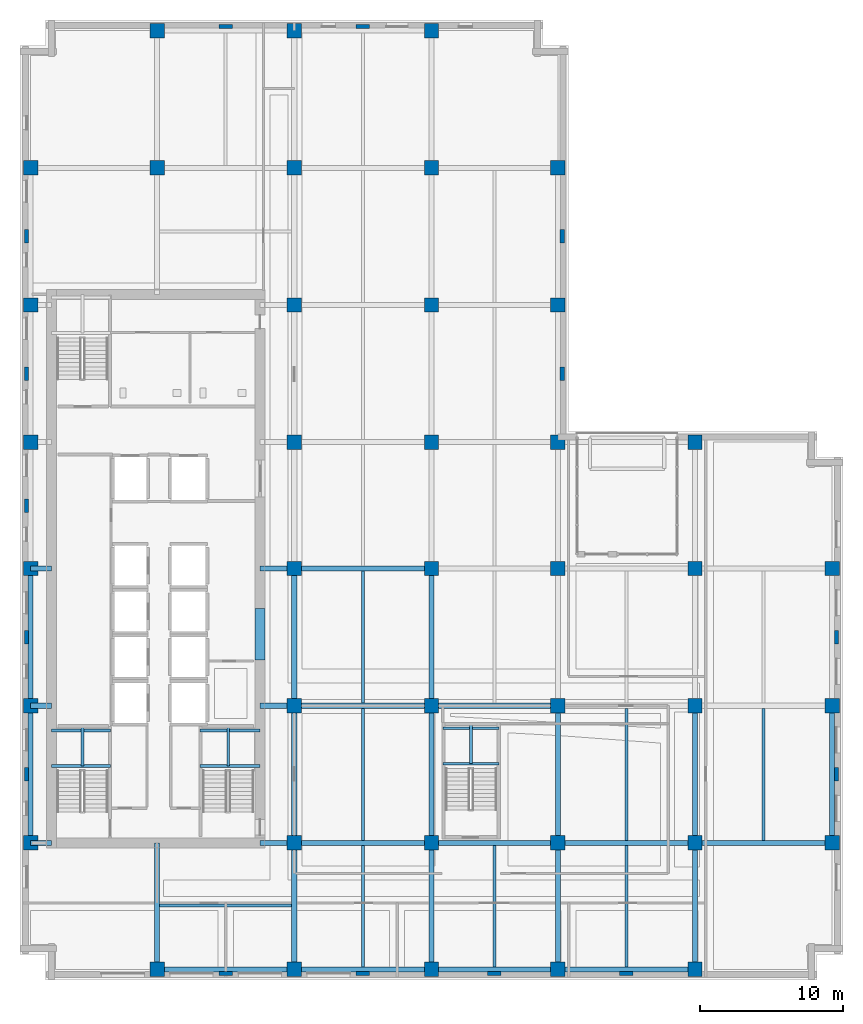
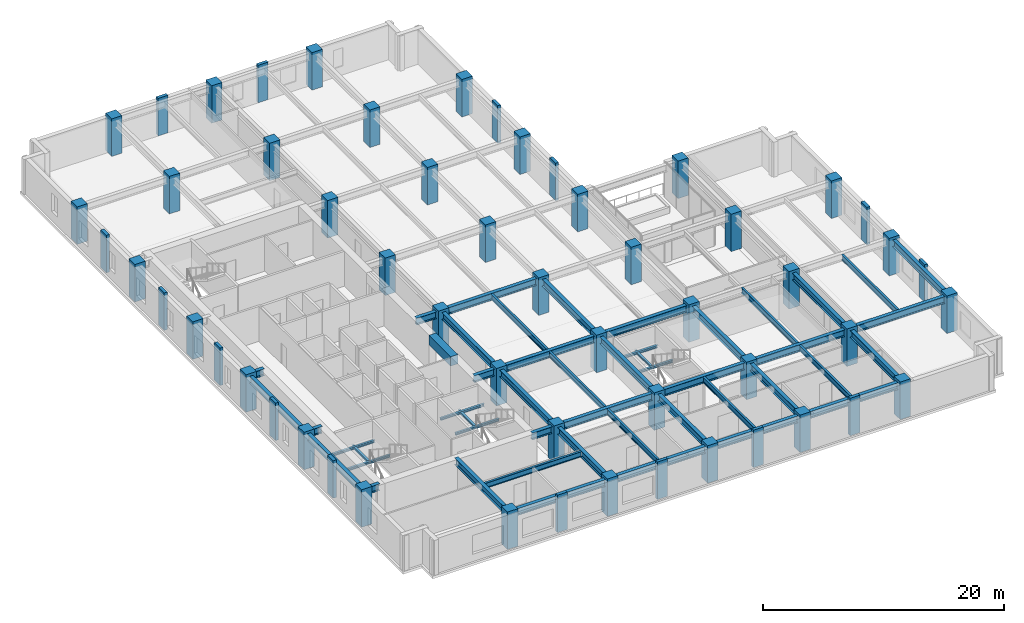
# One storey, part 1 of 16: 55 columns, 49 beams.
"""IFC4 building model written with IfcOpenShell, lengths in metres."""

from ifc_helpers import new_model, si_unit, direction, frame, origin, origin_2d, place, context, subcontext, project, spatial, rectangle, i_section, extrude, material, material_profile, profile_set, type_object, element, save


model = new_model("IFC4")

# Units and contexts
model_context = context("Model", 3, precision=1e-05, world=origin(), true_north=direction((0.0, 1.0)))
body_context = subcontext(model_context, "Body", "Model", "MODEL_VIEW")
ifc_project = project(units=[si_unit("LENGTHUNIT", "METRE"), si_unit("AREAUNIT", "SQUARE_METRE"), si_unit("VOLUMEUNIT", "CUBIC_METRE"), si_unit("PLANEANGLEUNIT", "RADIAN"), si_unit("MASSUNIT", "GRAM", prefix="KILO")], contexts=[model_context])

# Site, building, storey
site_placement = place(None, origin())
site = spatial("IfcSite", under=ifc_project, at=site_placement, CompositionType="ELEMENT")
building_placement = place(site_placement, origin())
building = spatial("IfcBuilding", under=site, at=building_placement, Name="Norrvale University Quadrangle", CompositionType="ELEMENT")
storey_placement = place(building_placement, frame((0.0, 0.0, 112.800048828125)))
storey = spatial("IfcBuildingStorey", under=building, at=storey_placement, Name="L28", CompositionType="ELEMENT", Elevation=112.800048828125)

# Columns
ifc_material_1 = material(Name="Red Manganese Brick Concrete C60/75", Category="concrete")
ifc_material_profile_1 = material_profile(ifc_material_1, rectangle(XDim=0.949951171875, YDim=0.300048828125, at=origin_2d()), Name="Red Manganese Brick Concrete C60/75")
ifc_profile_set_1 = profile_set([ifc_material_profile_1], Name="Red Manganese Brick Concrete C60/75")
column_type_1 = type_object("IfcColumnType", Name="Column Brick Pier 950x300", PredefinedType="PILASTER", material=ifc_profile_set_1)
for number, where, z_axis, x_axis, name in (
    (1, (0.449951171875, 14.39990234375, 0.0), (0.0, 0.0, 1.0), (0.0, 1.0, 0.0), "Exterior Brick Facade Pilaster L28-01"),
    (2, (0.449951171875, 24.0, 0.0), (0.0, 0.0, 1.0), (0.0, 1.0, 0.0), "Exterior Brick Facade Pilaster L28-02"),
    (3, (0.449951171875, 33.199951171875, 0.0), (0.0, 0.0, 1.0), (0.0, 1.0, 0.0), "Exterior Brick Facade Pilaster L28-03"),
    (4, (0.449951171875, 42.449951171875, 0.0), (0.0, 0.0, 1.0), (0.0, 1.0, 0.0), "Exterior Brick Facade Pilaster L28-04"),
    (5, (0.449951171875, 52.050048828125, 0.0), (0.0, 0.0, 1.0), (0.0, 1.0, 0.0), "Exterior Brick Facade Pilaster L28-05"),
    (6, (14.39990234375, 0.449951171875, 0.0), (0.0, 0.0, 1.0), (1.0, 0.0, 0.0), "Exterior Brick Facade Pilaster L28-06"),
    (7, (24.0, 0.449951171875, 0.0), (0.0, 0.0, 1.0), (1.0, 0.0, 0.0), "Exterior Brick Facade Pilaster L28-07"),
    (8, (33.199951171875, 0.449951171875, 0.0), (0.0, 0.0, 1.0), (1.0, 0.0, 0.0), "Exterior Brick Facade Pilaster L28-08"),
    (9, (42.449951171875, 0.449951171875, 0.0), (0.0, 0.0, 1.0), (1.0, 0.0, 0.0), "Exterior Brick Facade Pilaster L28-09"),
    (10, (57.14990234375, 14.39990234375, 0.0), (0.0, 0.0, 1.0), (0.0, 1.0, 0.0), "Exterior Brick Facade Pilaster L28-10"),
    (11, (57.14990234375, 24.0, 0.0), (0.0, 0.0, 1.0), (0.0, 1.0, 0.0), "Exterior Brick Facade Pilaster L28-11"),
    (12, (14.39990234375, 66.75, 0.0), (0.0, 0.0, 1.0), (1.0, 0.0, 0.0), "Exterior Brick Facade Pilaster L28-12"),
    (13, (24.0, 66.75, 0.0), (0.0, 0.0, 1.0), (1.0, 0.0, 0.0), "Exterior Brick Facade Pilaster L28-13"),
    (14, (37.949951171875, 42.449951171875, 0.0), (0.0, 0.0, 1.0), (0.0, 1.0, 0.0), "Exterior Brick Facade Pilaster L28-14"),
    (15, (37.949951171875, 52.050048828125, 0.0), (0.0, 0.0, 1.0), (0.0, 1.0, 0.0), "Exterior Brick Facade Pilaster L28-15"),
):
    element("IfcColumn", number, at=place(storey_placement, frame(where, z_axis=z_axis, x_axis=x_axis)), inside=storey, type_object=column_type_1, Name=name, PredefinedType="PILASTER", context=body_context, shape_type="SweptSolid", body=[
        extrude(rectangle(XDim=0.949951171875, YDim=0.300048828125, at=origin_2d()), origin(), (0.0, 0.0, 1.0), 3.800048828125),
    ])
ifc_material_2 = material(Name="Concrete C60/75", Category="concrete")
ifc_material_profile_2 = material_profile(ifc_material_2, rectangle(XDim=1.0, YDim=1.0, at=origin_2d()), Name="Concrete C60/75")
ifc_profile_set_2 = profile_set([ifc_material_profile_2], Name="Concrete C60/75")
column_type_2 = type_object("IfcColumnType", Name="Column Tower Z2 1000x1000", PredefinedType="COLUMN", material=ifc_profile_set_2)
for number, where, z_axis, x_axis, name in (
    (16, (0.75, 9.60009765625, 0.0), (0.0, 0.0, 1.0), (1.0, 0.0, 0.0), "Tower Column L28-T01"),
    (17, (0.75, 19.199951171875, 0.0), (0.0, 0.0, 1.0), (1.0, 0.0, 0.0), "Tower Column L28-T02"),
    (18, (0.75, 28.800048828125, 0.0), (0.0, 0.0, 1.0), (1.0, 0.0, 0.0), "Tower Column L28-T03"),
    (19, (0.75, 37.64990234375, 0.0), (0.0, 0.0, 1.0), (1.0, 0.0, 0.0), "Tower Column L28-T04"),
    (20, (0.75, 47.25, 0.0), (0.0, 0.0, 1.0), (1.0, 0.0, 0.0), "Tower Column L28-T05"),
    (21, (0.75, 56.85009765625, 0.0), (0.0, 0.0, 1.0), (1.0, 0.0, 0.0), "Tower Column L28-T06"),
    (22, (9.60009765625, 0.75, 0.0), (0.0, 0.0, 1.0), (1.0, 0.0, 0.0), "Tower Column L28-T07"),
    (23, (9.60009765625, 56.85009765625, 0.0), (0.0, 0.0, 1.0), (1.0, 0.0, 0.0), "Tower Column L28-T08"),
    (24, (9.60009765625, 66.449951171875, 0.0), (0.0, 0.0, 1.0), (1.0, 0.0, 0.0), "Tower Column L28-T09"),
    (25, (19.199951171875, 0.75, 0.0), (0.0, 0.0, 1.0), (1.0, 0.0, 0.0), "Tower Column L28-T10"),
    (26, (19.199951171875, 9.60009765625, 0.0), (0.0, 0.0, 1.0), (1.0, 0.0, 0.0), "Tower Column L28-T11"),
    (27, (19.199951171875, 19.199951171875, 0.0), (0.0, 0.0, 1.0), (1.0, 0.0, 0.0), "Tower Column L28-T12"),
    (28, (19.199951171875, 28.800048828125, 0.0), (0.0, 0.0, 1.0), (1.0, 0.0, 0.0), "Tower Column L28-T13"),
    (29, (19.199951171875, 37.64990234375, 0.0), (0.0, 0.0, 1.0), (1.0, 0.0, 0.0), "Tower Column L28-T14"),
    (30, (19.199951171875, 47.25, 0.0), (0.0, 0.0, 1.0), (1.0, 0.0, 0.0), "Tower Column L28-T15"),
    (31, (19.199951171875, 56.85009765625, 0.0), (0.0, 0.0, 1.0), (1.0, 0.0, 0.0), "Tower Column L28-T16"),
    (32, (19.199951171875, 66.449951171875, 0.0), (0.0, 0.0, 1.0), (1.0, 0.0, 0.0), "Tower Column L28-T17"),
    (33, (28.800048828125, 0.75, 0.0), (0.0, 0.0, 1.0), (1.0, 0.0, 0.0), "Tower Column L28-T18"),
    (34, (28.800048828125, 9.60009765625, 0.0), (0.0, 0.0, 1.0), (1.0, 0.0, 0.0), "Tower Column L28-T19"),
    (35, (28.800048828125, 19.199951171875, 0.0), (0.0, 0.0, 1.0), (1.0, 0.0, 0.0), "Tower Column L28-T20"),
    (36, (28.800048828125, 28.800048828125, 0.0), (0.0, 0.0, 1.0), (1.0, 0.0, 0.0), "Tower Column L28-T21"),
    (37, (28.800048828125, 37.64990234375, 0.0), (0.0, 0.0, 1.0), (1.0, 0.0, 0.0), "Tower Column L28-T22"),
    (38, (28.800048828125, 47.25, 0.0), (0.0, 0.0, 1.0), (1.0, 0.0, 0.0), "Tower Column L28-T23"),
    (39, (28.800048828125, 56.85009765625, 0.0), (0.0, 0.0, 1.0), (1.0, 0.0, 0.0), "Tower Column L28-T24"),
    (40, (28.800048828125, 66.449951171875, 0.0), (0.0, 0.0, 1.0), (1.0, 0.0, 0.0), "Tower Column L28-T25"),
    (41, (37.64990234375, 0.75, 0.0), (0.0, 0.0, 1.0), (1.0, 0.0, 0.0), "Tower Column L28-T26"),
    (42, (37.64990234375, 9.60009765625, 0.0), (0.0, 0.0, 1.0), (1.0, 0.0, 0.0), "Tower Column L28-T27"),
    (43, (37.64990234375, 19.199951171875, 0.0), (0.0, 0.0, 1.0), (1.0, 0.0, 0.0), "Tower Column L28-T28"),
    (44, (37.64990234375, 28.800048828125, 0.0), (0.0, 0.0, 1.0), (1.0, 0.0, 0.0), "Tower Column L28-T29"),
    (45, (37.64990234375, 37.64990234375, 0.0), (0.0, 0.0, 1.0), (1.0, 0.0, 0.0), "Tower Column L28-T30"),
    (46, (37.64990234375, 47.25, 0.0), (0.0, 0.0, 1.0), (1.0, 0.0, 0.0), "Tower Column L28-T31"),
    (47, (37.64990234375, 56.85009765625, 0.0), (0.0, 0.0, 1.0), (1.0, 0.0, 0.0), "Tower Column L28-T32"),
    (48, (47.25, 0.75, 0.0), (0.0, 0.0, 1.0), (1.0, 0.0, 0.0), "Tower Column L28-T33"),
    (49, (47.25, 9.60009765625, 0.0), (0.0, 0.0, 1.0), (1.0, 0.0, 0.0), "Tower Column L28-T34"),
    (50, (47.25, 19.199951171875, 0.0), (0.0, 0.0, 1.0), (1.0, 0.0, 0.0), "Tower Column L28-T35"),
    (51, (47.25, 28.800048828125, 0.0), (0.0, 0.0, 1.0), (1.0, 0.0, 0.0), "Tower Column L28-T36"),
    (52, (47.25, 37.64990234375, 0.0), (0.0, 0.0, 1.0), (1.0, 0.0, 0.0), "Tower Column L28-T37"),
    (53, (56.85009765625, 9.60009765625, 0.0), (0.0, 0.0, 1.0), (1.0, 0.0, 0.0), "Tower Column L28-T38"),
    (54, (56.85009765625, 19.199951171875, 0.0), (0.0, 0.0, 1.0), (1.0, 0.0, 0.0), "Tower Column L28-T39"),
    (55, (56.85009765625, 28.800048828125, 0.0), (0.0, 0.0, 1.0), (1.0, 0.0, 0.0), "Tower Column L28-T40"),
):
    element("IfcColumn", number, at=place(storey_placement, frame(where, z_axis=z_axis, x_axis=x_axis)), inside=storey, type_object=column_type_2, Name=name, PredefinedType="COLUMN", context=body_context, shape_type="SweptSolid", body=[
        extrude(rectangle(XDim=1.0, YDim=1.0, at=origin_2d()), origin(), (0.0, 0.0, 1.0), 3.800048828125),
    ])

# Beams
ifc_material_3 = material(Name="Steel 350W", Category="steel")
ifc_material_profile_3 = material_profile(ifc_material_3, i_section(OverallWidth=0.35498046875, OverallDepth=0.695068359375, WebThickness=0.015380859375, FlangeThickness=0.02490234375, FilletRadius=0.01806640625, at=origin_2d()), Name="Steel 350W")
ifc_profile_set_3 = profile_set([ifc_material_profile_3], Name="Steel 350W")
beam_type_1 = type_object("IfcBeamType", Name="Beam Belt W690x217", PredefinedType="BEAM", material=ifc_profile_set_3)
beam_1_placement = place(storey_placement, frame((9.60009765625, 0.75, 3.1923828125), z_axis=(1.0, 0.0, 0.0), x_axis=(0.0, 1.0, 0.0)))
element("IfcBeam", 56, at=beam_1_placement, inside=storey, type_object=beam_type_1, Name="Beam Belt W690x217 BM-L28-GX001", PredefinedType="BEAM", context=body_context, shape_type="SweptSolid", body=[
    extrude(i_section(OverallWidth=0.35498046875, OverallDepth=0.695068359375, WebThickness=0.015380859375, FlangeThickness=0.02490234375, FilletRadius=0.01806640625, at=origin_2d()), origin(), (0.0, 0.0, 1.0), 9.599853515625),
])
beam_2_placement = place(storey_placement, frame((19.199951171875, 0.75, 3.1923828125), z_axis=(1.0, 0.0, 0.0), x_axis=(0.0, 1.0, 0.0)))
element("IfcBeam", 57, at=beam_2_placement, inside=storey, type_object=beam_type_1, Name="Beam Belt W690x217 BM-L28-GX002", PredefinedType="BEAM", context=body_context, shape_type="SweptSolid", body=[
    extrude(i_section(OverallWidth=0.35498046875, OverallDepth=0.695068359375, WebThickness=0.015380859375, FlangeThickness=0.02490234375, FilletRadius=0.01806640625, at=origin_2d()), origin(), (0.0, 0.0, 1.0), 9.60009765625),
])
beam_3_placement = place(storey_placement, frame((28.800048828125, 0.75, 3.1923828125), z_axis=(1.0, 0.0, 0.0), x_axis=(0.0, 1.0, 0.0)))
element("IfcBeam", 58, at=beam_3_placement, inside=storey, type_object=beam_type_1, Name="Beam Belt W690x217 BM-L28-GX003", PredefinedType="BEAM", context=body_context, shape_type="SweptSolid", body=[
    extrude(i_section(OverallWidth=0.35498046875, OverallDepth=0.695068359375, WebThickness=0.015380859375, FlangeThickness=0.02490234375, FilletRadius=0.01806640625, at=origin_2d()), origin(), (0.0, 0.0, 1.0), 8.849853515625),
])
for number, where, z_axis, x_axis, name in (
    (59, (37.64990234375, 0.75, 3.1923828125), (1.0, 0.0, 0.0), (0.0, 1.0, 0.0), "Beam Belt W690x217 BM-L28-GX004"),
    (60, (19.199951171875, 9.60009765625, 3.1923828125), (1.0, 0.0, 0.0), (0.0, 1.0, 0.0), "Beam Belt W690x217 BM-L28-GX005"),
):
    element("IfcBeam", number, at=place(storey_placement, frame(where, z_axis=z_axis, x_axis=x_axis)), inside=storey, type_object=beam_type_1, Name=name, PredefinedType="BEAM", context=body_context, shape_type="SweptSolid", body=[
        extrude(i_section(OverallWidth=0.35498046875, OverallDepth=0.695068359375, WebThickness=0.015380859375, FlangeThickness=0.02490234375, FilletRadius=0.01806640625, at=origin_2d()), origin(), (0.0, 0.0, 1.0), 9.60009765625),
    ])
beam_4_placement = place(storey_placement, frame((28.800048828125, 9.60009765625, 3.1923828125), z_axis=(1.0, 0.0, 0.0), x_axis=(0.0, 1.0, 0.0)))
element("IfcBeam", 61, at=beam_4_placement, inside=storey, type_object=beam_type_1, Name="Beam Belt W690x217 BM-L28-GX006", PredefinedType="BEAM", context=body_context, shape_type="SweptSolid", body=[
    extrude(i_section(OverallWidth=0.35498046875, OverallDepth=0.695068359375, WebThickness=0.015380859375, FlangeThickness=0.02490234375, FilletRadius=0.01806640625, at=origin_2d()), origin(), (0.0, 0.0, 1.0), 8.849853515625),
])
for number, where, z_axis, x_axis, name in (
    (62, (37.64990234375, 9.60009765625, 3.1923828125), (1.0, 0.0, 0.0), (0.0, 1.0, 0.0), "Beam Belt W690x217 BM-L28-GX007"),
    (63, (47.25, 9.60009765625, 3.1923828125), (1.0, 0.0, 0.0), (0.0, 1.0, 0.0), "Beam Belt W690x217 BM-L28-GX008"),
    (64, (19.199951171875, 19.199951171875, 3.1923828125), (1.0, 0.0, 0.0), (0.0, 1.0, 0.0), "Beam Belt W690x217 BM-L28-GX009"),
):
    element("IfcBeam", number, at=place(storey_placement, frame(where, z_axis=z_axis, x_axis=x_axis)), inside=storey, type_object=beam_type_1, Name=name, PredefinedType="BEAM", context=body_context, shape_type="SweptSolid", body=[
        extrude(i_section(OverallWidth=0.35498046875, OverallDepth=0.695068359375, WebThickness=0.015380859375, FlangeThickness=0.02490234375, FilletRadius=0.01806640625, at=origin_2d()), origin(), (0.0, 0.0, 1.0), 9.60009765625),
    ])
beam_5_placement = place(storey_placement, frame((28.800048828125, 19.199951171875, 3.1923828125), z_axis=(1.0, 0.0, 0.0), x_axis=(0.0, 1.0, 0.0)))
element("IfcBeam", 65, at=beam_5_placement, inside=storey, type_object=beam_type_1, Name="Beam Belt W690x217 BM-L28-GX010", PredefinedType="BEAM", context=body_context, shape_type="SweptSolid", body=[
    extrude(i_section(OverallWidth=0.35498046875, OverallDepth=0.695068359375, WebThickness=0.015380859375, FlangeThickness=0.02490234375, FilletRadius=0.01806640625, at=origin_2d()), origin(), (0.0, 0.0, 1.0), 8.849853515625),
])
beam_6_placement = place(storey_placement, frame((19.199951171875, 28.800048828125, 3.1923828125), z_axis=(1.0, 0.0, 0.0), x_axis=(0.0, 1.0, 0.0)))
element("IfcBeam", 66, at=beam_6_placement, inside=storey, type_object=beam_type_1, Name="Beam Belt W690x217 BM-L28-GX013", PredefinedType="BEAM", context=body_context, shape_type="SweptSolid", body=[
    extrude(i_section(OverallWidth=0.35498046875, OverallDepth=0.695068359375, WebThickness=0.015380859375, FlangeThickness=0.02490234375, FilletRadius=0.01806640625, at=origin_2d()), origin(), (0.0, 0.0, 1.0), 9.60009765625),
])
beam_7_placement = place(storey_placement, frame((0.75, 9.60009765625, 3.1923828125), z_axis=(0.0, 1.0, 0.0), x_axis=(-1.0, 0.0, 0.0)))
element("IfcBeam", 67, at=beam_7_placement, inside=storey, type_object=beam_type_1, Name="Beam Belt W690x217 BM-L28-GY028", PredefinedType="BEAM", context=body_context, shape_type="SweptSolid", body=[
    extrude(i_section(OverallWidth=0.35498046875, OverallDepth=0.695068359375, WebThickness=0.015380859375, FlangeThickness=0.02490234375, FilletRadius=0.01806640625, at=origin_2d()), origin(), (0.0, 0.0, 1.0), 9.599853515625),
])
beam_8_placement = place(storey_placement, frame((0.75, 19.199951171875, 3.1923828125), z_axis=(0.0, 1.0, 0.0), x_axis=(-1.0, 0.0, 0.0)))
element("IfcBeam", 68, at=beam_8_placement, inside=storey, type_object=beam_type_1, Name="Beam Belt W690x217 BM-L28-GY029", PredefinedType="BEAM", context=body_context, shape_type="SweptSolid", body=[
    extrude(i_section(OverallWidth=0.35498046875, OverallDepth=0.695068359375, WebThickness=0.015380859375, FlangeThickness=0.02490234375, FilletRadius=0.01806640625, at=origin_2d()), origin(), (0.0, 0.0, 1.0), 9.60009765625),
])
beam_9_placement = place(storey_placement, frame((19.199951171875, 0.75, 3.1923828125), z_axis=(0.0, 1.0, 0.0), x_axis=(-1.0, 0.0, 0.0)))
element("IfcBeam", 69, at=beam_9_placement, inside=storey, type_object=beam_type_1, Name="Beam Belt W690x217 BM-L28-GY034", PredefinedType="BEAM", context=body_context, shape_type="SweptSolid", body=[
    extrude(i_section(OverallWidth=0.35498046875, OverallDepth=0.695068359375, WebThickness=0.015380859375, FlangeThickness=0.02490234375, FilletRadius=0.01806640625, at=origin_2d()), origin(), (0.0, 0.0, 1.0), 8.85009765625),
])
beam_10_placement = place(storey_placement, frame((19.199951171875, 9.60009765625, 3.1923828125), z_axis=(0.0, 1.0, 0.0), x_axis=(-1.0, 0.0, 0.0)))
element("IfcBeam", 70, at=beam_10_placement, inside=storey, type_object=beam_type_1, Name="Beam Belt W690x217 BM-L28-GY035", PredefinedType="BEAM", context=body_context, shape_type="SweptSolid", body=[
    extrude(i_section(OverallWidth=0.35498046875, OverallDepth=0.695068359375, WebThickness=0.015380859375, FlangeThickness=0.02490234375, FilletRadius=0.01806640625, at=origin_2d()), origin(), (0.0, 0.0, 1.0), 9.599853515625),
])
beam_11_placement = place(storey_placement, frame((19.199951171875, 19.199951171875, 3.1923828125), z_axis=(0.0, 1.0, 0.0), x_axis=(-1.0, 0.0, 0.0)))
element("IfcBeam", 71, at=beam_11_placement, inside=storey, type_object=beam_type_1, Name="Beam Belt W690x217 BM-L28-GY036", PredefinedType="BEAM", context=body_context, shape_type="SweptSolid", body=[
    extrude(i_section(OverallWidth=0.35498046875, OverallDepth=0.695068359375, WebThickness=0.015380859375, FlangeThickness=0.02490234375, FilletRadius=0.01806640625, at=origin_2d()), origin(), (0.0, 0.0, 1.0), 9.60009765625),
])
beam_12_placement = place(storey_placement, frame((28.800048828125, 0.75, 3.1923828125), z_axis=(0.0, 1.0, 0.0), x_axis=(-1.0, 0.0, 0.0)))
element("IfcBeam", 72, at=beam_12_placement, inside=storey, type_object=beam_type_1, Name="Beam Belt W690x217 BM-L28-GY041", PredefinedType="BEAM", context=body_context, shape_type="SweptSolid", body=[
    extrude(i_section(OverallWidth=0.35498046875, OverallDepth=0.695068359375, WebThickness=0.015380859375, FlangeThickness=0.02490234375, FilletRadius=0.01806640625, at=origin_2d()), origin(), (0.0, 0.0, 1.0), 8.85009765625),
])
beam_13_placement = place(storey_placement, frame((28.800048828125, 9.60009765625, 3.1923828125), z_axis=(0.0, 1.0, 0.0), x_axis=(-1.0, 0.0, 0.0)))
element("IfcBeam", 73, at=beam_13_placement, inside=storey, type_object=beam_type_1, Name="Beam Belt W690x217 BM-L28-GY042", PredefinedType="BEAM", context=body_context, shape_type="SweptSolid", body=[
    extrude(i_section(OverallWidth=0.35498046875, OverallDepth=0.695068359375, WebThickness=0.015380859375, FlangeThickness=0.02490234375, FilletRadius=0.01806640625, at=origin_2d()), origin(), (0.0, 0.0, 1.0), 9.599853515625),
])
beam_14_placement = place(storey_placement, frame((28.800048828125, 19.199951171875, 3.1923828125), z_axis=(0.0, 1.0, 0.0), x_axis=(-1.0, 0.0, 0.0)))
element("IfcBeam", 74, at=beam_14_placement, inside=storey, type_object=beam_type_1, Name="Beam Belt W690x217 BM-L28-GY043", PredefinedType="BEAM", context=body_context, shape_type="SweptSolid", body=[
    extrude(i_section(OverallWidth=0.35498046875, OverallDepth=0.695068359375, WebThickness=0.015380859375, FlangeThickness=0.02490234375, FilletRadius=0.01806640625, at=origin_2d()), origin(), (0.0, 0.0, 1.0), 9.60009765625),
])
beam_15_placement = place(storey_placement, frame((37.64990234375, 0.75, 3.1923828125), z_axis=(0.0, 1.0, 0.0), x_axis=(-1.0, 0.0, 0.0)))
element("IfcBeam", 75, at=beam_15_placement, inside=storey, type_object=beam_type_1, Name="Beam Belt W690x217 BM-L28-GY048", PredefinedType="BEAM", context=body_context, shape_type="SweptSolid", body=[
    extrude(i_section(OverallWidth=0.35498046875, OverallDepth=0.695068359375, WebThickness=0.015380859375, FlangeThickness=0.02490234375, FilletRadius=0.01806640625, at=origin_2d()), origin(), (0.0, 0.0, 1.0), 8.85009765625),
])
beam_16_placement = place(storey_placement, frame((37.64990234375, 9.60009765625, 3.1923828125), z_axis=(0.0, 1.0, 0.0), x_axis=(-1.0, 0.0, 0.0)))
element("IfcBeam", 76, at=beam_16_placement, inside=storey, type_object=beam_type_1, Name="Beam Belt W690x217 BM-L28-GY049", PredefinedType="BEAM", context=body_context, shape_type="SweptSolid", body=[
    extrude(i_section(OverallWidth=0.35498046875, OverallDepth=0.695068359375, WebThickness=0.015380859375, FlangeThickness=0.02490234375, FilletRadius=0.01806640625, at=origin_2d()), origin(), (0.0, 0.0, 1.0), 9.599853515625),
])
beam_17_placement = place(storey_placement, frame((47.25, 0.75, 3.1923828125), z_axis=(0.0, 1.0, 0.0), x_axis=(-1.0, 0.0, 0.0)))
element("IfcBeam", 77, at=beam_17_placement, inside=storey, type_object=beam_type_1, Name="Beam Belt W690x217 BM-L28-GY054", PredefinedType="BEAM", context=body_context, shape_type="SweptSolid", body=[
    extrude(i_section(OverallWidth=0.35498046875, OverallDepth=0.695068359375, WebThickness=0.015380859375, FlangeThickness=0.02490234375, FilletRadius=0.01806640625, at=origin_2d()), origin(), (0.0, 0.0, 1.0), 8.85009765625),
])
for number, where, z_axis, x_axis, name in (
    (78, (47.25, 9.60009765625, 3.1923828125), (0.0, 1.0, 0.0), (-1.0, 0.0, 0.0), "Beam Belt W690x217 BM-L28-GY055"),
    (79, (56.85009765625, 9.60009765625, 3.1923828125), (0.0, 1.0, 0.0), (-1.0, 0.0, 0.0), "Beam Belt W690x217 BM-L28-GY058"),
):
    element("IfcBeam", number, at=place(storey_placement, frame(where, z_axis=z_axis, x_axis=x_axis)), inside=storey, type_object=beam_type_1, Name=name, PredefinedType="BEAM", context=body_context, shape_type="SweptSolid", body=[
        extrude(i_section(OverallWidth=0.35498046875, OverallDepth=0.695068359375, WebThickness=0.015380859375, FlangeThickness=0.02490234375, FilletRadius=0.01806640625, at=origin_2d()), origin(), (0.0, 0.0, 1.0), 9.599853515625),
    ])
beam_18_placement = place(storey_placement, frame((0.75, 9.60009765625, 3.1923828125), z_axis=(1.0, 0.0, 0.0), x_axis=(0.0, 1.0, 0.0)))
element("IfcBeam", 80, at=beam_18_placement, inside=storey, type_object=beam_type_1, Name="Beam Belt W690x217 BM-L28-GCW060", PredefinedType="BEAM", context=body_context, shape_type="SweptSolid", body=[
    extrude(i_section(OverallWidth=0.35498046875, OverallDepth=0.695068359375, WebThickness=0.015380859375, FlangeThickness=0.02490234375, FilletRadius=0.01806640625, at=origin_2d()), origin(), (0.0, 0.0, 1.0), 1.449951171875),
])
beam_19_placement = place(storey_placement, frame((16.800048828125, 9.60009765625, 3.1923828125), z_axis=(1.0, 0.0, 0.0), x_axis=(0.0, 1.0, 0.0)))
element("IfcBeam", 81, at=beam_19_placement, inside=storey, type_object=beam_type_1, Name="Beam Belt W690x217 BM-L28-GCE061", PredefinedType="BEAM", context=body_context, shape_type="SweptSolid", body=[
    extrude(i_section(OverallWidth=0.35498046875, OverallDepth=0.695068359375, WebThickness=0.015380859375, FlangeThickness=0.02490234375, FilletRadius=0.01806640625, at=origin_2d()), origin(), (0.0, 0.0, 1.0), 2.39990234375),
])
beam_20_placement = place(storey_placement, frame((0.75, 19.199951171875, 3.1923828125), z_axis=(1.0, 0.0, 0.0), x_axis=(0.0, 1.0, 0.0)))
element("IfcBeam", 82, at=beam_20_placement, inside=storey, type_object=beam_type_1, Name="Beam Belt W690x217 BM-L28-GCW062", PredefinedType="BEAM", context=body_context, shape_type="SweptSolid", body=[
    extrude(i_section(OverallWidth=0.35498046875, OverallDepth=0.695068359375, WebThickness=0.015380859375, FlangeThickness=0.02490234375, FilletRadius=0.01806640625, at=origin_2d()), origin(), (0.0, 0.0, 1.0), 1.449951171875),
])
beam_21_placement = place(storey_placement, frame((16.800048828125, 19.199951171875, 3.1923828125), z_axis=(1.0, 0.0, 0.0), x_axis=(0.0, 1.0, 0.0)))
element("IfcBeam", 83, at=beam_21_placement, inside=storey, type_object=beam_type_1, Name="Beam Belt W690x217 BM-L28-GCE063", PredefinedType="BEAM", context=body_context, shape_type="SweptSolid", body=[
    extrude(i_section(OverallWidth=0.35498046875, OverallDepth=0.695068359375, WebThickness=0.015380859375, FlangeThickness=0.02490234375, FilletRadius=0.01806640625, at=origin_2d()), origin(), (0.0, 0.0, 1.0), 2.39990234375),
])
beam_22_placement = place(storey_placement, frame((0.75, 28.800048828125, 3.1923828125), z_axis=(1.0, 0.0, 0.0), x_axis=(0.0, 1.0, 0.0)))
element("IfcBeam", 84, at=beam_22_placement, inside=storey, type_object=beam_type_1, Name="Beam Belt W690x217 BM-L28-GCW064", PredefinedType="BEAM", context=body_context, shape_type="SweptSolid", body=[
    extrude(i_section(OverallWidth=0.35498046875, OverallDepth=0.695068359375, WebThickness=0.015380859375, FlangeThickness=0.02490234375, FilletRadius=0.01806640625, at=origin_2d()), origin(), (0.0, 0.0, 1.0), 1.449951171875),
])
beam_23_placement = place(storey_placement, frame((16.800048828125, 28.800048828125, 3.1923828125), z_axis=(1.0, 0.0, 0.0), x_axis=(0.0, 1.0, 0.0)))
element("IfcBeam", 85, at=beam_23_placement, inside=storey, type_object=beam_type_1, Name="Beam Belt W690x217 BM-L28-GCE065", PredefinedType="BEAM", context=body_context, shape_type="SweptSolid", body=[
    extrude(i_section(OverallWidth=0.35498046875, OverallDepth=0.695068359375, WebThickness=0.015380859375, FlangeThickness=0.02490234375, FilletRadius=0.01806640625, at=origin_2d()), origin(), (0.0, 0.0, 1.0), 2.39990234375),
])
beam_24_placement = place(storey_placement, frame((9.60009765625, 0.75, 3.1923828125), z_axis=(0.0, 1.0, 0.0), x_axis=(-1.0, 0.0, 0.0)))
element("IfcBeam", 86, at=beam_24_placement, inside=storey, type_object=beam_type_1, Name="Beam Belt W690x217 BM-L28-GCS088", PredefinedType="BEAM", context=body_context, shape_type="SweptSolid", body=[
    extrude(i_section(OverallWidth=0.35498046875, OverallDepth=0.695068359375, WebThickness=0.015380859375, FlangeThickness=0.02490234375, FilletRadius=0.01806640625, at=origin_2d()), origin(), (0.0, 0.0, 1.0), 8.85009765625),
])
ifc_material_4 = material(Name="Concrete C80/95", Category="concrete")
ifc_material_profile_4 = material_profile(ifc_material_4, rectangle(XDim=0.699951171875, YDim=0.949951171875, at=origin_2d()), Name="Concrete C80/95")
ifc_profile_set_4 = profile_set([ifc_material_profile_4], Name="Concrete C80/95")
beam_type_2 = type_object("IfcBeamType", Name="Beam Core Link 700x950", PredefinedType="LINTEL", material=ifc_profile_set_4)
beam_25_placement = place(storey_placement, frame((16.800048828125, 22.39990234375, 3.06494140625), z_axis=(0.0, 1.0, 0.0), x_axis=(-1.0, 0.0, 0.0)))
element("IfcBeam", 87, at=beam_25_placement, inside=storey, type_object=beam_type_2, Name="Core Coupling Lintel Beam L28-1", PredefinedType="LINTEL", context=body_context, shape_type="SweptSolid", body=[
    extrude(rectangle(XDim=0.699951171875, YDim=0.949951171875, at=origin_2d()), origin(), (0.0, 0.0, 1.0), 3.60009765625),
])
ifc_material_profile_5 = material_profile(ifc_material_3, i_section(OverallWidth=0.2119140625, OverallDepth=0.5439453125, WebThickness=0.01318359375, FlangeThickness=0.021240234375, FilletRadius=0.013916015625, at=origin_2d()), Name="Steel 350W")
ifc_profile_set_5 = profile_set([ifc_material_profile_5], Name="Steel 350W")
beam_type_3 = type_object("IfcBeamType", Name="Beam Floor W530x123", PredefinedType="BEAM", material=ifc_profile_set_5)
beam_26_placement = place(storey_placement, frame((24.0, 0.927490234375, 3.26806640625), z_axis=(0.0, 1.0, 0.0), x_axis=(-1.0, 0.0, 0.0)))
element("IfcBeam", 88, at=beam_26_placement, inside=storey, type_object=beam_type_3, Name="Beam Floor W530x123 BM-L28-J071", PredefinedType="BEAM", context=body_context, shape_type="SweptSolid", body=[
    extrude(i_section(OverallWidth=0.2119140625, OverallDepth=0.5439453125, WebThickness=0.01318359375, FlangeThickness=0.021240234375, FilletRadius=0.013916015625, at=origin_2d()), origin(), (0.0, 0.0, 1.0), 8.4951171875),
])
beam_27_placement = place(storey_placement, frame((24.0, 9.777587890625, 3.26806640625), z_axis=(0.0, 1.0, 0.0), x_axis=(-1.0, 0.0, 0.0)))
element("IfcBeam", 89, at=beam_27_placement, inside=storey, type_object=beam_type_3, Name="Beam Floor W530x123 BM-L28-J072", PredefinedType="BEAM", context=body_context, shape_type="SweptSolid", body=[
    extrude(i_section(OverallWidth=0.2119140625, OverallDepth=0.5439453125, WebThickness=0.01318359375, FlangeThickness=0.021240234375, FilletRadius=0.013916015625, at=origin_2d()), origin(), (0.0, 0.0, 1.0), 9.244873046875),
])
beam_28_placement = place(storey_placement, frame((24.0, 19.37744140625, 3.26806640625), z_axis=(0.0, 1.0, 0.0), x_axis=(-1.0, 0.0, 0.0)))
element("IfcBeam", 90, at=beam_28_placement, inside=storey, type_object=beam_type_3, Name="Beam Floor W530x123 BM-L28-J073", PredefinedType="BEAM", context=body_context, shape_type="SweptSolid", body=[
    extrude(i_section(OverallWidth=0.2119140625, OverallDepth=0.5439453125, WebThickness=0.01318359375, FlangeThickness=0.021240234375, FilletRadius=0.013916015625, at=origin_2d()), origin(), (0.0, 0.0, 1.0), 9.2451171875),
])
for number, where, z_axis, x_axis, name in (
    (91, (33.22509765625, 0.927490234375, 3.26806640625), (0.0, 1.0, 0.0), (-1.0, 0.0, 0.0), "Beam Floor W530x123 BM-L28-J078"),
    (92, (42.449951171875, 0.927490234375, 3.26806640625), (0.0, 1.0, 0.0), (-1.0, 0.0, 0.0), "Beam Floor W530x123 BM-L28-J083"),
):
    element("IfcBeam", number, at=place(storey_placement, frame(where, z_axis=z_axis, x_axis=x_axis)), inside=storey, type_object=beam_type_3, Name=name, PredefinedType="BEAM", context=body_context, shape_type="SweptSolid", body=[
        extrude(i_section(OverallWidth=0.2119140625, OverallDepth=0.5439453125, WebThickness=0.01318359375, FlangeThickness=0.021240234375, FilletRadius=0.013916015625, at=origin_2d()), origin(), (0.0, 0.0, 1.0), 8.4951171875),
    ])
for number, where, z_axis, x_axis, name in (
    (93, (42.449951171875, 9.777587890625, 3.26806640625), (0.0, 1.0, 0.0), (-1.0, 0.0, 0.0), "Beam Floor W530x123 BM-L28-J084"),
    (94, (52.050048828125, 9.777587890625, 3.26806640625), (0.0, 1.0, 0.0), (-1.0, 0.0, 0.0), "Beam Floor W530x123 BM-L28-J086"),
    (95, (9.777587890625, 5.199951171875, 3.26806640625), (1.0, 0.0, 0.0), (0.0, 1.0, 0.0), "Beam Floor W530x123 BM-L28-JCS089"),
):
    element("IfcBeam", number, at=place(storey_placement, frame(where, z_axis=z_axis, x_axis=x_axis)), inside=storey, type_object=beam_type_3, Name=name, PredefinedType="BEAM", context=body_context, shape_type="SweptSolid", body=[
        extrude(i_section(OverallWidth=0.2119140625, OverallDepth=0.5439453125, WebThickness=0.01318359375, FlangeThickness=0.021240234375, FilletRadius=0.013916015625, at=origin_2d()), origin(), (0.0, 0.0, 1.0), 9.244873046875),
    ])
ifc_material_profile_6 = material_profile(ifc_material_3, i_section(OverallWidth=0.201904296875, OverallDepth=0.2470703125, WebThickness=0.00732421875, FlangeThickness=0.010986328125, FilletRadius=0.011962890625, at=origin_2d()), Name="Steel 350W")
ifc_profile_set_6 = profile_set([ifc_material_profile_6], Name="Steel 350W")
beam_type_4 = type_object("IfcBeamType", Name="Beam Stair W250x49", PredefinedType="BEAM", material=ifc_profile_set_6)
for number, where, z_axis, x_axis, name in (
    (96, (2.199951171875, 14.989990234375, 1.576416015625), (1.0, 0.0, 0.0), (0.0, 1.0, 0.0), "Stair Mid-Landing Front Beam ST-01 L28"),
    (97, (2.199951171875, 17.469970703125, 1.576416015625), (1.0, 0.0, 0.0), (0.0, 1.0, 0.0), "Stair Mid-Landing Rear Beam ST-01 L28"),
):
    element("IfcBeam", number, at=place(storey_placement, frame(where, z_axis=z_axis, x_axis=x_axis)), inside=storey, type_object=beam_type_4, Name=name, PredefinedType="BEAM", context=body_context, shape_type="SweptSolid", body=[
        extrude(i_section(OverallWidth=0.201904296875, OverallDepth=0.2470703125, WebThickness=0.00732421875, FlangeThickness=0.010986328125, FilletRadius=0.011962890625, at=origin_2d()), origin(), (0.0, 0.0, 1.0), 4.14013671875),
    ])
for number, where, z_axis, x_axis, name in (
    (98, (12.610107421875, 14.989990234375, 1.576416015625), (1.0, 0.0, 0.0), (0.0, 1.0, 0.0), "Stair Mid-Landing Front Beam ST-03 L28"),
    (99, (12.610107421875, 17.469970703125, 1.576416015625), (1.0, 0.0, 0.0), (0.0, 1.0, 0.0), "Stair Mid-Landing Rear Beam ST-03 L28"),
):
    element("IfcBeam", number, at=place(storey_placement, frame(where, z_axis=z_axis, x_axis=x_axis)), inside=storey, type_object=beam_type_4, Name=name, PredefinedType="BEAM", context=body_context, shape_type="SweptSolid", body=[
        extrude(i_section(OverallWidth=0.201904296875, OverallDepth=0.2470703125, WebThickness=0.00732421875, FlangeThickness=0.010986328125, FilletRadius=0.011962890625, at=origin_2d()), origin(), (0.0, 0.0, 1.0), 4.18994140625),
    ])
for number, where, z_axis, x_axis, name in (
    (100, (29.610107421875, 15.139892578125, 1.576416015625), (1.0, 0.0, 0.0), (0.0, 1.0, 0.0), "Stair Mid-Landing Front Beam ST-04 L28"),
    (101, (29.610107421875, 17.6201171875, 1.576416015625), (1.0, 0.0, 0.0), (0.0, 1.0, 0.0), "Stair Mid-Landing Rear Beam ST-04 L28"),
):
    element("IfcBeam", number, at=place(storey_placement, frame(where, z_axis=z_axis, x_axis=x_axis)), inside=storey, type_object=beam_type_4, Name=name, PredefinedType="BEAM", context=body_context, shape_type="SweptSolid", body=[
        extrude(i_section(OverallWidth=0.201904296875, OverallDepth=0.2470703125, WebThickness=0.00732421875, FlangeThickness=0.010986328125, FilletRadius=0.011962890625, at=origin_2d()), origin(), (0.0, 0.0, 1.0), 3.929931640625),
    ])
ifc_material_profile_7 = material_profile(ifc_material_3, i_section(OverallWidth=0.202880859375, OverallDepth=0.202880859375, WebThickness=0.007080078125, FlangeThickness=0.010986328125, FilletRadius=0.010009765625, at=origin_2d()), Name="Steel 350W")
ifc_profile_set_7 = profile_set([ifc_material_profile_7], Name="Steel 350W")
beam_type_5 = type_object("IfcBeamType", Name="Beam Trim W200x46", PredefinedType="BEAM", material=ifc_profile_set_7)
for number, where, z_axis, x_axis, name in (
    (102, (4.375, 14.989990234375, 1.598388671875), (0.0, 1.0, 0.0), (-1.0, 0.0, 0.0), "Stair Mid-Landing Cross Beam ST-01 L28"),
    (103, (14.574951171875, 14.989990234375, 1.598388671875), (0.0, 1.0, 0.0), (-1.0, 0.0, 0.0), "Stair Mid-Landing Cross Beam ST-03 L28"),
    (104, (31.574951171875, 15.139892578125, 1.598388671875), (0.0, 1.0, 0.0), (-1.0, 0.0, 0.0), "Stair Mid-Landing Cross Beam ST-04 L28"),
):
    element("IfcBeam", number, at=place(storey_placement, frame(where, z_axis=z_axis, x_axis=x_axis)), inside=storey, type_object=beam_type_5, Name=name, PredefinedType="BEAM", context=body_context, shape_type="SweptSolid", body=[
        extrude(i_section(OverallWidth=0.202880859375, OverallDepth=0.202880859375, WebThickness=0.007080078125, FlangeThickness=0.010986328125, FilletRadius=0.010009765625, at=origin_2d()), origin(), (0.0, 0.0, 1.0), 2.800048828125),
    ])

save(model, "model.ifc")
